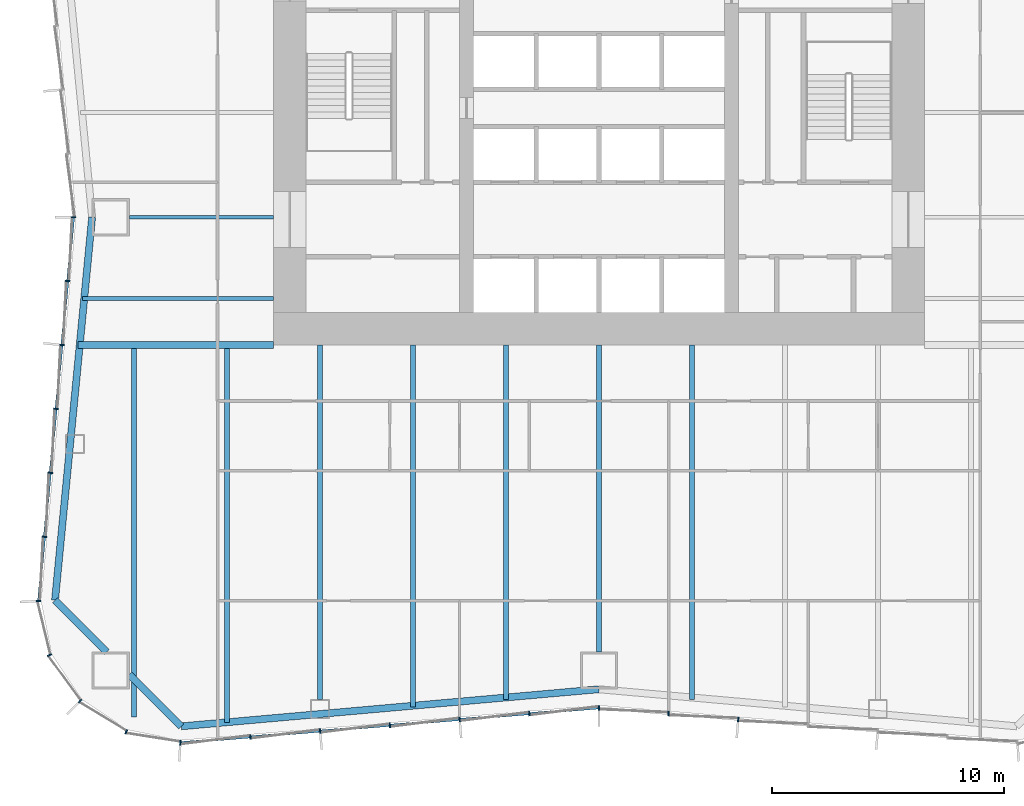
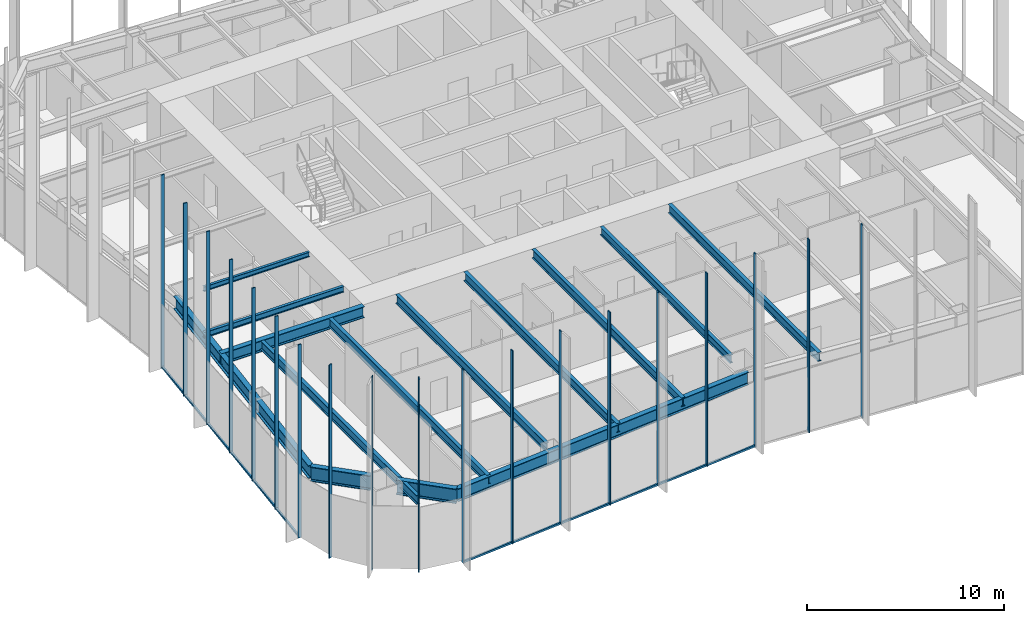
# One storey, part 2 of 13: 21 members, 14 beams, 3 elements without a shape of their own.
"""IFC4 building model written with IfcOpenShell, lengths in metres."""

from ifc_helpers import new_model, si_unit, direction, frame, origin, origin_2d, place, context, subcontext, project, spatial, rectangle, i_section, extrude, material, material_profile, profile_set, type_object, element, aggregate, save


model = new_model("IFC4")

# Units and contexts
model_context = context("Model", 3, precision=1e-05, world=origin(), true_north=direction((0.0, 1.0)))
body_context = subcontext(model_context, "Body", "Model", "MODEL_VIEW")
ifc_project = project(units=[si_unit("LENGTHUNIT", "METRE"), si_unit("AREAUNIT", "SQUARE_METRE"), si_unit("VOLUMEUNIT", "CUBIC_METRE"), si_unit("PLANEANGLEUNIT", "RADIAN"), si_unit("MASSUNIT", "GRAM", prefix="KILO")], contexts=[model_context])

# Site, building, storey
site_placement = place(None, origin())
site = spatial("IfcSite", under=ifc_project, at=site_placement, CompositionType="ELEMENT")
building_placement = place(site_placement, origin())
building = spatial("IfcBuilding", under=site, at=building_placement, Name="Verdant Reach Tower", CompositionType="ELEMENT")
storey_placement = place(building_placement, frame((0.0, 0.0, 26.0)))
storey = spatial("IfcBuildingStorey", under=building, at=storey_placement, Name="L05", CompositionType="ELEMENT", Elevation=26.0)

# Curtain wall, members
ifc_material_1 = material(Name="Anodised aluminium", Category="aluminium")
curtain_wall_type = type_object("IfcCurtainWallType", Name="EN-CW SYSTEM Z0", PredefinedType="NOTDEFINED", material=ifc_material_1)
curtain_wall_1_placement = place(storey_placement, origin())
curtain_wall_1 = element("IfcCurtainWall", 1, at=curtain_wall_1_placement, inside=storey, type_object=curtain_wall_type, Name="Curtain wall west, L05", PredefinedType="NOTDEFINED")
ifc_material_profile_1 = material_profile(ifc_material_1, rectangle(XDim=0.199951171875, YDim=0.06005859375, at=origin_2d()), Name="Mullion 60x200")
ifc_profile_set_1 = profile_set([ifc_material_profile_1], Name="Anodised aluminium")
member_type_1 = type_object("IfcMemberType", Name="EN-MULLION Z0", PredefinedType="MULLION", material=ifc_profile_set_1)
member_1_placement = place(storey_placement, frame((-22.60009765625, 22.5, -0.35009765625), z_axis=(0.0, 0.0, 1.0), x_axis=(-1.0, 0.0, 0.0)))
member_1 = element("IfcMember", 2, at=member_1_placement, type_object=member_type_1, Name="Mullion west face part 2 1, L05", PredefinedType="MULLION", context=body_context, shape_type="SweptSolid", body=[
    extrude(rectangle(XDim=0.199951171875, YDim=0.06005859375, at=origin_2d()), origin(), (0.0, 0.0, 1.0), 12.0),
])
member_2_placement = place(storey_placement, frame((-22.849609375, 19.759033203125, -0.35009765625), z_axis=(0.0, 0.0, 1.0), x_axis=(-0.995893206467, 0.090535746047, 0.0)))
member_2 = element("IfcMember", 3, at=member_2_placement, type_object=member_type_1, Name="Mullion west face part 2 2, L05", PredefinedType="MULLION", context=body_context, shape_type="SweptSolid", body=[
    extrude(rectangle(XDim=0.199951171875, YDim=0.06005859375, at=origin_2d()), origin(), (0.0, 0.0, 1.0), 12.0),
])
member_3_placement = place(storey_placement, frame((-23.099609375, 17.009033203125, -0.35009765625), z_axis=(0.0, 0.0, 1.0), x_axis=(-0.995893206467, 0.090535746047, 0.0)))
member_3 = element("IfcMember", 4, at=member_3_placement, type_object=member_type_1, Name="Mullion west face part 2 3, L05", PredefinedType="MULLION", context=body_context, shape_type="SweptSolid", body=[
    extrude(rectangle(XDim=0.199951171875, YDim=0.06005859375, at=origin_2d()), origin(), (0.0, 0.0, 1.0), 12.0),
])
member_4_placement = place(storey_placement, frame((-23.349609375, 14.259033203125, -0.35009765625), z_axis=(0.0, 0.0, 1.0), x_axis=(-0.995893206467, 0.090535746047, 0.0)))
member_4 = element("IfcMember", 5, at=member_4_placement, type_object=member_type_1, Name="Mullion west face part 2 4, L05", PredefinedType="MULLION", context=body_context, shape_type="SweptSolid", body=[
    extrude(rectangle(XDim=0.199951171875, YDim=0.06005859375, at=origin_2d()), origin(), (0.0, 0.0, 1.0), 12.0),
])
member_5_placement = place(storey_placement, frame((-23.599609375, 11.509033203125, -0.35009765625), z_axis=(0.0, 0.0, 1.0), x_axis=(-0.995893206467, 0.090535746047, 0.0)))
member_5 = element("IfcMember", 6, at=member_5_placement, type_object=member_type_1, Name="Mullion west face part 2 5, L05", PredefinedType="MULLION", context=body_context, shape_type="SweptSolid", body=[
    extrude(rectangle(XDim=0.199951171875, YDim=0.06005859375, at=origin_2d()), origin(), (0.0, 0.0, 1.0), 12.0),
])
member_6_placement = place(storey_placement, frame((-23.849609375, 8.759033203125, -0.35009765625), z_axis=(0.0, 0.0, 1.0), x_axis=(-0.995893206467, 0.090535746047, 0.0)))
member_6 = element("IfcMember", 7, at=member_6_placement, type_object=member_type_1, Name="Mullion west face part 2 6, L05", PredefinedType="MULLION", context=body_context, shape_type="SweptSolid", body=[
    extrude(rectangle(XDim=0.199951171875, YDim=0.06005859375, at=origin_2d()), origin(), (0.0, 0.0, 1.0), 12.0),
])

curtain_wall_2_placement = place(storey_placement, origin())
curtain_wall_2 = element("IfcCurtainWall", 8, at=curtain_wall_2_placement, inside=storey, type_object=curtain_wall_type, Name="Curtain wall south-west corner, L05", PredefinedType="NOTDEFINED")
member_7_placement = place(storey_placement, frame((-24.099853515625, 5.99462890625, -0.35009765625), z_axis=(0.0, 0.0, 1.0), x_axis=(-0.998604288049, -0.052815489107, 0.0)))
member_7 = element("IfcMember", 9, at=member_7_placement, type_object=member_type_1, Name="Mullion south-west corner 1, L05", PredefinedType="MULLION", context=body_context, shape_type="SweptSolid", body=[
    extrude(rectangle(XDim=0.199951171875, YDim=0.06005859375, at=origin_2d()), origin(), (0.0, 0.0, 1.0), 12.0),
])
member_8_placement = place(storey_placement, frame((-23.6357421875, 3.66552734375, -0.35009765625), z_axis=(0.0, 0.0, 1.0), x_axis=(-0.923875215753, -0.382693853776, 0.0)))
member_8 = element("IfcMember", 10, at=member_8_placement, type_object=member_type_1, Name="Mullion south-west corner 2, L05", PredefinedType="MULLION", context=body_context, shape_type="SweptSolid", body=[
    extrude(rectangle(XDim=0.199951171875, YDim=0.06005859375, at=origin_2d()), origin(), (0.0, 0.0, 1.0), 12.0),
])
member_9_placement = place(storey_placement, frame((-22.313232421875, 1.686767578125, -0.35009765625), z_axis=(0.0, 0.0, 1.0), x_axis=(-0.707106781187, -0.707106781187, 0.0)))
member_9 = element("IfcMember", 11, at=member_9_placement, type_object=member_type_1, Name="Mullion south-west corner 3, L05", PredefinedType="MULLION", context=body_context, shape_type="SweptSolid", body=[
    extrude(rectangle(XDim=0.199951171875, YDim=0.06005859375, at=origin_2d()), origin(), (0.0, 0.0, 1.0), 12.0),
])
member_10_placement = place(storey_placement, frame((-20.33447265625, 0.3642578125, -0.35009765625), z_axis=(0.0, 0.0, 1.0), x_axis=(-0.382693853776, -0.923875215753, 0.0)))
member_10 = element("IfcMember", 12, at=member_10_placement, type_object=member_type_1, Name="Mullion south-west corner 4, L05", PredefinedType="MULLION", context=body_context, shape_type="SweptSolid", body=[
    extrude(rectangle(XDim=0.199951171875, YDim=0.06005859375, at=origin_2d()), origin(), (0.0, 0.0, 1.0), 12.0),
])
aggregate(curtain_wall_2, [member_7, member_8, member_9, member_10])

curtain_wall_3_placement = place(storey_placement, origin())
curtain_wall_3 = element("IfcCurtainWall", 13, at=curtain_wall_3_placement, inside=storey, type_object=curtain_wall_type, Name="Curtain wall south, L05", PredefinedType="NOTDEFINED")
member_11_placement = place(storey_placement, frame((-18.005615234375, -0.099853515625, -0.35009765625), z_axis=(0.0, 0.0, 1.0), x_axis=(-0.056569187765, -0.998398681387, 0.0)))
member_11 = element("IfcMember", 14, at=member_11_placement, type_object=member_type_1, Name="Mullion south face part 1 1, L05", PredefinedType="MULLION", context=body_context, shape_type="SweptSolid", body=[
    extrude(rectangle(XDim=0.199951171875, YDim=0.06005859375, at=origin_2d()), origin(), (0.0, 0.0, 1.0), 12.0),
])
member_12_placement = place(storey_placement, frame((-14.99169921875, 0.150390625, -0.35009765625), z_axis=(0.0, 0.0, 1.0), x_axis=(0.083045479859, -0.996545758244, 0.0)))
member_12 = element("IfcMember", 15, at=member_12_placement, type_object=member_type_1, Name="Mullion south face part 1 2, L05", PredefinedType="MULLION", context=body_context, shape_type="SweptSolid", body=[
    extrude(rectangle(XDim=0.199951171875, YDim=0.06005859375, at=origin_2d()), origin(), (0.0, 0.0, 1.0), 12.0),
])
member_13_placement = place(storey_placement, frame((-11.99169921875, 0.400390625, -0.35009765625), z_axis=(0.0, 0.0, 1.0), x_axis=(0.083045479859, -0.996545758244, 0.0)))
member_13 = element("IfcMember", 16, at=member_13_placement, type_object=member_type_1, Name="Mullion south face part 1 3, L05", PredefinedType="MULLION", context=body_context, shape_type="SweptSolid", body=[
    extrude(rectangle(XDim=0.199951171875, YDim=0.06005859375, at=origin_2d()), origin(), (0.0, 0.0, 1.0), 12.0),
])
member_14_placement = place(storey_placement, frame((-8.99169921875, 0.650390625, -0.35009765625), z_axis=(0.0, 0.0, 1.0), x_axis=(0.083045479859, -0.996545758244, 0.0)))
member_14 = element("IfcMember", 17, at=member_14_placement, type_object=member_type_1, Name="Mullion south face part 1 4, L05", PredefinedType="MULLION", context=body_context, shape_type="SweptSolid", body=[
    extrude(rectangle(XDim=0.199951171875, YDim=0.06005859375, at=origin_2d()), origin(), (0.0, 0.0, 1.0), 12.0),
])
member_15_placement = place(storey_placement, frame((-5.99169921875, 0.900390625, -0.35009765625), z_axis=(0.0, 0.0, 1.0), x_axis=(0.083045479859, -0.996545758244, 0.0)))
member_15 = element("IfcMember", 18, at=member_15_placement, type_object=member_type_1, Name="Mullion south face part 1 5, L05", PredefinedType="MULLION", context=body_context, shape_type="SweptSolid", body=[
    extrude(rectangle(XDim=0.199951171875, YDim=0.06005859375, at=origin_2d()), origin(), (0.0, 0.0, 1.0), 12.0),
])
member_16_placement = place(storey_placement, frame((-2.99169921875, 1.150390625, -0.35009765625), z_axis=(0.0, 0.0, 1.0), x_axis=(0.083045479859, -0.996545758244, 0.0)))
member_16 = element("IfcMember", 19, at=member_16_placement, type_object=member_type_1, Name="Mullion south face part 1 6, L05", PredefinedType="MULLION", context=body_context, shape_type="SweptSolid", body=[
    extrude(rectangle(XDim=0.199951171875, YDim=0.06005859375, at=origin_2d()), origin(), (0.0, 0.0, 1.0), 12.0),
])
member_17_placement = place(storey_placement, frame((0.0, 1.39990234375, -0.35009765625), z_axis=(0.0, 0.0, 1.0), x_axis=(0.0, -1.0, 0.0)))
member_17 = element("IfcMember", 20, at=member_17_placement, type_object=member_type_1, Name="Mullion south face part 2 1, L05", PredefinedType="MULLION", context=body_context, shape_type="SweptSolid", body=[
    extrude(rectangle(XDim=0.199951171875, YDim=0.06005859375, at=origin_2d()), origin(), (0.0, 0.0, 1.0), 12.0),
])
member_18_placement = place(storey_placement, frame((2.99169921875, 1.150390625, -0.35009765625), z_axis=(0.0, 0.0, 1.0), x_axis=(-0.083045479859, -0.996545758244, 0.0)))
member_18 = element("IfcMember", 21, at=member_18_placement, type_object=member_type_1, Name="Mullion south face part 2 2, L05", PredefinedType="MULLION", context=body_context, shape_type="SweptSolid", body=[
    extrude(rectangle(XDim=0.199951171875, YDim=0.06005859375, at=origin_2d()), origin(), (0.0, 0.0, 1.0), 12.0),
])
member_19_placement = place(storey_placement, frame((5.99169921875, 0.900390625, -0.35009765625), z_axis=(0.0, 0.0, 1.0), x_axis=(-0.083045479859, -0.996545758244, 0.0)))
member_19 = element("IfcMember", 22, at=member_19_placement, type_object=member_type_1, Name="Mullion south face part 2 3, L05", PredefinedType="MULLION", context=body_context, shape_type="SweptSolid", body=[
    extrude(rectangle(XDim=0.199951171875, YDim=0.06005859375, at=origin_2d()), origin(), (0.0, 0.0, 1.0), 12.0),
])

# Member
ifc_material_profile_2 = material_profile(ifc_material_1, rectangle(XDim=0.10009765625, YDim=0.1201171875, at=origin_2d()), Name="Transom 120x100")
ifc_profile_set_2 = profile_set([ifc_material_profile_2], Name="Anodised aluminium")
member_type_2 = type_object("IfcMemberType", Name="EN-TRANSOM Z0", PredefinedType="USERDEFINED", material=ifc_profile_set_2)
member_20_placement = place(storey_placement, frame((-22.602783203125, 22.47021484375, -0.2900390625), z_axis=(-0.090495755184, -0.995896841191, 0.0), x_axis=(0.995896841191, -0.090495755184, 0.0)))
member_20 = element("IfcMember", 23, at=member_20_placement, type_object=member_type_2, Name="Transom west face part 2 1.1, L05", ObjectType="TRANSOM", PredefinedType="USERDEFINED", context=body_context, shape_type="SweptSolid", body=[
    extrude(rectangle(XDim=0.10009765625, YDim=0.1201171875, at=origin_2d()), origin(), (0.0, 0.0, 1.0), 16.513427734375),
])

aggregate(curtain_wall_1, [member_1, member_2, member_3, member_4, member_5, member_6, member_20])

member_21_placement = place(storey_placement, frame((-17.975830078125, -0.097412109375, -0.2900390625), z_axis=(0.996548656072, 0.083010698588, 0.0), x_axis=(-0.083010698588, 0.996548656072, 0.0)))
member_21 = element("IfcMember", 24, at=member_21_placement, type_object=member_type_2, Name="Transom south face part 1 1.1, L05", ObjectType="TRANSOM", PredefinedType="USERDEFINED", context=body_context, shape_type="SweptSolid", body=[
    extrude(rectangle(XDim=0.10009765625, YDim=0.1201171875, at=origin_2d()), origin(), (0.0, 0.0, 1.0), 18.00830078125),
])

aggregate(curtain_wall_3, [member_11, member_12, member_13, member_14, member_15, member_16, member_21, member_17, member_18, member_19])

# Beams
ifc_material_2 = material(Name="Steel S355", Category="steel")
ifc_material_profile_3 = material_profile(ifc_material_2, i_section(OverallWidth=0.300048828125, OverallDepth=0.699951171875, WebThickness=0.01708984375, FlangeThickness=0.031982421875, FilletRadius=0.027099609375, at=origin_2d()), Name="HEB 700")
ifc_profile_set_3 = profile_set([ifc_material_profile_3], Name="Steel S355")
beam_type_1 = type_object("IfcBeamType", Name="ST-BEAM-HEB700", PredefinedType="BEAM", material=ifc_profile_set_3)
beam_1_placement = place(storey_placement, frame((-14.0, 17.0, 3.52001953125), z_axis=(-1.0, 0.0, 0.0), x_axis=(0.0, -1.0, 0.0)))
element("IfcBeam", 25, at=beam_1_placement, inside=storey, type_object=beam_type_1, Name="Trimmer beam, L05", PredefinedType="BEAM", context=body_context, shape_type="SweptSolid", body=[
    extrude(i_section(OverallWidth=0.300048828125, OverallDepth=0.699951171875, WebThickness=0.01708984375, FlangeThickness=0.031982421875, FilletRadius=0.027099609375, at=origin_2d()), origin(), (0.0, 0.0, 1.0), 8.3974609375),
])
ifc_material_profile_4 = material_profile(ifc_material_2, i_section(OverallWidth=0.14990234375, OverallDepth=0.300048828125, WebThickness=0.007080078125, FlangeThickness=0.0107421875, FilletRadius=0.014892578125, at=origin_2d()), Name="IPE 300")
ifc_profile_set_4 = profile_set([ifc_material_profile_4], Name="Steel S355")
beam_type_2 = type_object("IfcBeamType", Name="ST-JOIST-IPE300", PredefinedType="JOIST", material=ifc_profile_set_4)
beam_2_placement = place(storey_placement, frame((-14.0, 22.5, 3.719970703125), z_axis=(-1.0, 0.0, 0.0), x_axis=(0.0, -1.0, 0.0)))
element("IfcBeam", 26, at=beam_2_placement, inside=storey, type_object=beam_type_2, Name="Floor joist, L05", PredefinedType="JOIST", context=body_context, shape_type="SweptSolid", body=[
    extrude(i_section(OverallWidth=0.14990234375, OverallDepth=0.300048828125, WebThickness=0.007080078125, FlangeThickness=0.0107421875, FilletRadius=0.014892578125, at=origin_2d()), origin(), (0.0, 0.0, 1.0), 6.199951171875),
])
ifc_material_profile_5 = material_profile(ifc_material_2, i_section(OverallWidth=0.169921875, OverallDepth=0.360107421875, WebThickness=0.008056640625, FlangeThickness=0.0126953125, FilletRadius=0.01806640625, at=origin_2d()), Name="IPE 360")
ifc_profile_set_5 = profile_set([ifc_material_profile_5], Name="Steel S355")
beam_type_3 = type_object("IfcBeamType", Name="ST-JOIST-IPE360", PredefinedType="JOIST", material=ifc_profile_set_5)
beam_3_placement = place(storey_placement, frame((-14.0, 19.0, 3.68994140625), z_axis=(-1.0, 0.0, 0.0), x_axis=(0.0, -1.0, 0.0)))
element("IfcBeam", 27, at=beam_3_placement, inside=storey, type_object=beam_type_3, Name="Floor joist, L05", PredefinedType="JOIST", context=body_context, shape_type="SweptSolid", body=[
    extrude(i_section(OverallWidth=0.169921875, OverallDepth=0.360107421875, WebThickness=0.008056640625, FlangeThickness=0.0126953125, FilletRadius=0.01806640625, at=origin_2d()), origin(), (0.0, 0.0, 1.0), 8.2158203125),
])
ifc_material_profile_6 = material_profile(ifc_material_2, i_section(OverallWidth=0.199951171875, OverallDepth=0.5, WebThickness=0.01025390625, FlangeThickness=0.01611328125, FilletRadius=0.02099609375, at=origin_2d()), Name="IPE 500")
ifc_profile_set_6 = profile_set([ifc_material_profile_6], Name="Steel S355")
beam_type_4 = type_object("IfcBeamType", Name="ST-JOIST-IPE500", PredefinedType="JOIST", material=ifc_profile_set_6)
beam_4_placement = place(storey_placement, frame((0.0, 17.0, 3.6201171875), z_axis=(0.0, -1.0, 0.0), x_axis=(1.0, 0.0, 0.0)))
element("IfcBeam", 28, at=beam_4_placement, inside=storey, type_object=beam_type_4, Name="Floor joist, L05", PredefinedType="JOIST", context=body_context, shape_type="SweptSolid", body=[
    extrude(i_section(OverallWidth=0.199951171875, OverallDepth=0.5, WebThickness=0.01025390625, FlangeThickness=0.01611328125, FilletRadius=0.02099609375, at=origin_2d()), origin(), (0.0, 0.0, 1.0), 13.199951171875),
])
ifc_material_profile_7 = material_profile(ifc_material_2, i_section(OverallWidth=0.2099609375, OverallDepth=0.550048828125, WebThickness=0.010986328125, FlangeThickness=0.01708984375, FilletRadius=0.02392578125, at=origin_2d()), Name="IPE 550")
ifc_profile_set_7 = profile_set([ifc_material_profile_7], Name="Steel S355")
beam_type_5 = type_object("IfcBeamType", Name="ST-JOIST-IPE550", PredefinedType="JOIST", material=ifc_profile_set_7)
beam_5_placement = place(storey_placement, frame((-20.0, 16.89990234375, 3.594970703125), z_axis=(0.0, -1.0, 0.0), x_axis=(1.0, 0.0, 0.0)))
element("IfcBeam", 29, at=beam_5_placement, inside=storey, type_object=beam_type_5, Name="Floor joist, L05", PredefinedType="JOIST", context=body_context, shape_type="SweptSolid", body=[
    extrude(i_section(OverallWidth=0.2099609375, OverallDepth=0.550048828125, WebThickness=0.010986328125, FlangeThickness=0.01708984375, FilletRadius=0.02392578125, at=origin_2d()), origin(), (0.0, 0.0, 1.0), 15.890380859375),
])
beam_6_placement = place(storey_placement, frame((-16.0, 16.89990234375, 3.594970703125), z_axis=(0.0, -1.0, 0.0), x_axis=(1.0, 0.0, 0.0)))
element("IfcBeam", 30, at=beam_6_placement, inside=storey, type_object=beam_type_5, Name="Floor joist, L05", PredefinedType="JOIST", context=body_context, shape_type="SweptSolid", body=[
    extrude(i_section(OverallWidth=0.2099609375, OverallDepth=0.550048828125, WebThickness=0.010986328125, FlangeThickness=0.01708984375, FilletRadius=0.02392578125, at=origin_2d()), origin(), (0.0, 0.0, 1.0), 16.131103515625),
])
beam_7_placement = place(storey_placement, frame((-12.0, 17.0, 3.594970703125), z_axis=(0.0, -1.0, 0.0), x_axis=(1.0, 0.0, 0.0)))
element("IfcBeam", 31, at=beam_7_placement, inside=storey, type_object=beam_type_5, Name="Floor joist, L05", PredefinedType="JOIST", context=body_context, shape_type="SweptSolid", body=[
    extrude(i_section(OverallWidth=0.2099609375, OverallDepth=0.550048828125, WebThickness=0.010986328125, FlangeThickness=0.01708984375, FilletRadius=0.02392578125, at=origin_2d()), origin(), (0.0, 0.0, 1.0), 15.25),
])
beam_8_placement = place(storey_placement, frame((-8.0, 17.0, 3.594970703125), z_axis=(0.0, -1.0, 0.0), x_axis=(1.0, 0.0, 0.0)))
element("IfcBeam", 32, at=beam_8_placement, inside=storey, type_object=beam_type_5, Name="Floor joist, L05", PredefinedType="JOIST", context=body_context, shape_type="SweptSolid", body=[
    extrude(i_section(OverallWidth=0.2099609375, OverallDepth=0.550048828125, WebThickness=0.010986328125, FlangeThickness=0.01708984375, FilletRadius=0.02392578125, at=origin_2d()), origin(), (0.0, 0.0, 1.0), 15.564697265625),
])
for number, where, z_axis, x_axis, name in (
    (33, (-4.0, 17.0, 3.594970703125), (0.0, -1.0, 0.0), (1.0, 0.0, 0.0), "Floor joist, L05"),
    (34, (4.0, 17.0, 3.594970703125), (0.0, -1.0, 0.0), (1.0, 0.0, 0.0), "Floor joist, L05"),
):
    element("IfcBeam", number, at=place(storey_placement, frame(where, z_axis=z_axis, x_axis=x_axis)), inside=storey, type_object=beam_type_5, Name=name, PredefinedType="JOIST", context=body_context, shape_type="SweptSolid", body=[
        extrude(i_section(OverallWidth=0.2099609375, OverallDepth=0.550048828125, WebThickness=0.010986328125, FlangeThickness=0.01708984375, FilletRadius=0.02392578125, at=origin_2d()), origin(), (0.0, 0.0, 1.0), 15.231201171875),
    ])
ifc_material_profile_8 = material_profile(ifc_material_2, i_section(OverallWidth=0.300048828125, OverallDepth=0.800048828125, WebThickness=0.017578125, FlangeThickness=0.032958984375, FilletRadius=0.030029296875, at=origin_2d()), Name="HEB 800")
ifc_profile_set_8 = profile_set([ifc_material_profile_8], Name="Steel S355")
beam_type_6 = type_object("IfcBeamType", Name="ST-SPANDREL-HEB800", PredefinedType="SPANDREL", material=ifc_profile_set_8)
beam_9_placement = place(storey_placement, frame((0.0, 2.199951171875, 3.469970703125), z_axis=(-0.996082370463, -0.088430262084, 0.0), x_axis=(0.088430262084, -0.996082370463, 0.0)))
element("IfcBeam", 35, at=beam_9_placement, inside=storey, type_object=beam_type_6, Name="Edge beam, L05", PredefinedType="SPANDREL", context=body_context, shape_type="SweptSolid", body=[
    extrude(i_section(OverallWidth=0.300048828125, OverallDepth=0.800048828125, WebThickness=0.017578125, FlangeThickness=0.032958984375, FilletRadius=0.030029296875, at=origin_2d()), origin(), (0.0, 0.0, 1.0), 18.036376953125),
])
beam_10_placement = place(storey_placement, frame((-23.39453125, 6.031982421875, 3.469970703125), z_axis=(0.096372296695, 0.995345357366, 0.0), x_axis=(-0.995345357366, 0.096372296695, 0.0)))
element("IfcBeam", 36, at=beam_10_placement, inside=storey, type_object=beam_type_6, Name="Edge beam, L05", PredefinedType="SPANDREL", context=body_context, shape_type="SweptSolid", body=[
    extrude(i_section(OverallWidth=0.300048828125, OverallDepth=0.800048828125, WebThickness=0.017578125, FlangeThickness=0.032958984375, FilletRadius=0.030029296875, at=origin_2d()), origin(), (0.0, 0.0, 1.0), 16.544921875),
])
ifc_material_profile_9 = material_profile(ifc_material_2, i_section(OverallWidth=0.302001953125, OverallDepth=0.909912109375, WebThickness=0.02099609375, FlangeThickness=0.0400390625, FilletRadius=0.030029296875, at=origin_2d()), Name="HEM 900")
ifc_profile_set_9 = profile_set([ifc_material_profile_9], Name="Steel S355")
beam_type_7 = type_object("IfcBeamType", Name="ST-SPANDREL-HEM900", PredefinedType="SPANDREL", material=ifc_profile_set_9)
beam_11_placement = place(storey_placement, frame((-17.9658203125, 0.60498046875, 3.4150390625), z_axis=(-0.707222697162, 0.706990846206, 0.0), x_axis=(-0.706990846206, -0.707222697162, 0.0)))
element("IfcBeam", 37, at=beam_11_placement, inside=storey, type_object=beam_type_7, Name="Edge beam, L05", PredefinedType="SPANDREL", context=body_context, shape_type="SweptSolid", body=[
    extrude(i_section(OverallWidth=0.302001953125, OverallDepth=0.909912109375, WebThickness=0.02099609375, FlangeThickness=0.0400390625, FilletRadius=0.030029296875, at=origin_2d()), origin(), (0.0, 0.0, 1.0), 3.158935546875),
])
beam_12_placement = place(storey_placement, frame((-21.161865234375, 3.800048828125, 3.4150390625), z_axis=(-0.70722277322, 0.706990770123, 0.0), x_axis=(-0.706990770123, -0.70722277322, 0.0)))
element("IfcBeam", 38, at=beam_12_placement, inside=storey, type_object=beam_type_7, Name="Edge beam, L05", PredefinedType="SPANDREL", context=body_context, shape_type="SweptSolid", body=[
    extrude(i_section(OverallWidth=0.302001953125, OverallDepth=0.909912109375, WebThickness=0.02099609375, FlangeThickness=0.0400390625, FilletRadius=0.030029296875, at=origin_2d()), origin(), (0.0, 0.0, 1.0), 3.156982421875),
])

save(model, "model.ifc")
